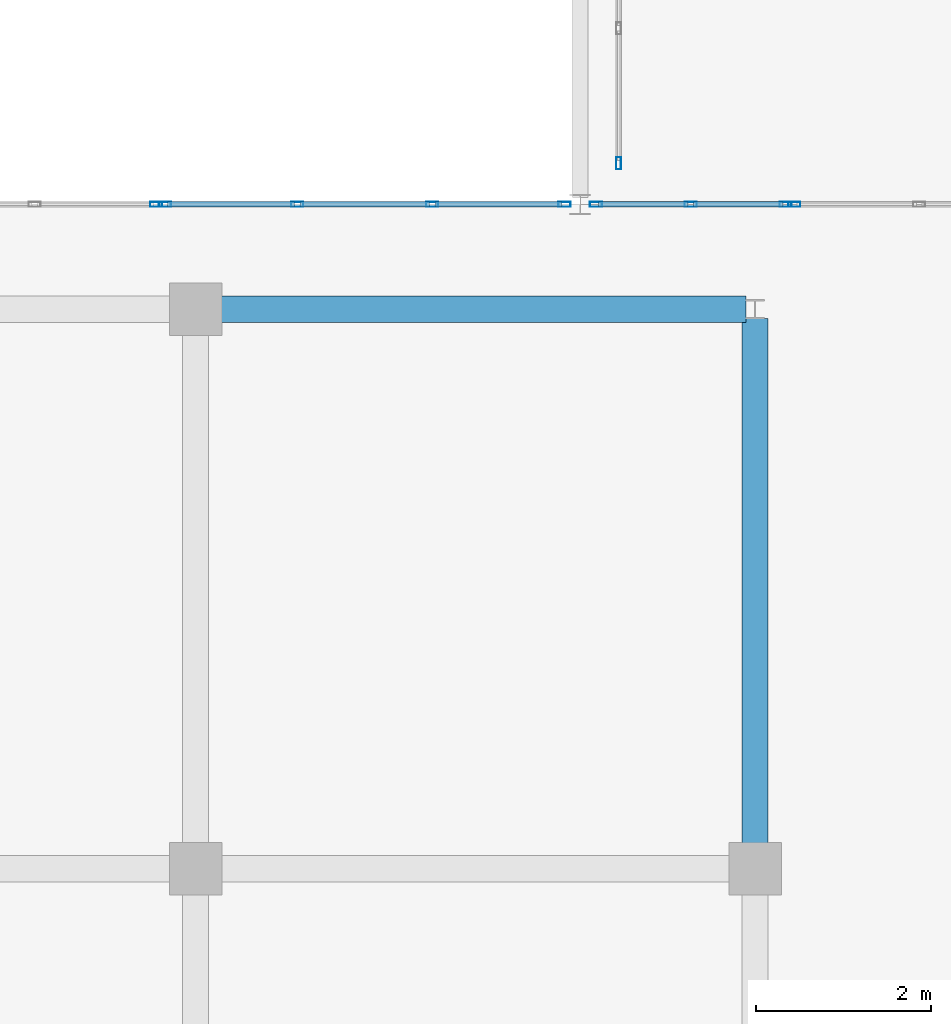
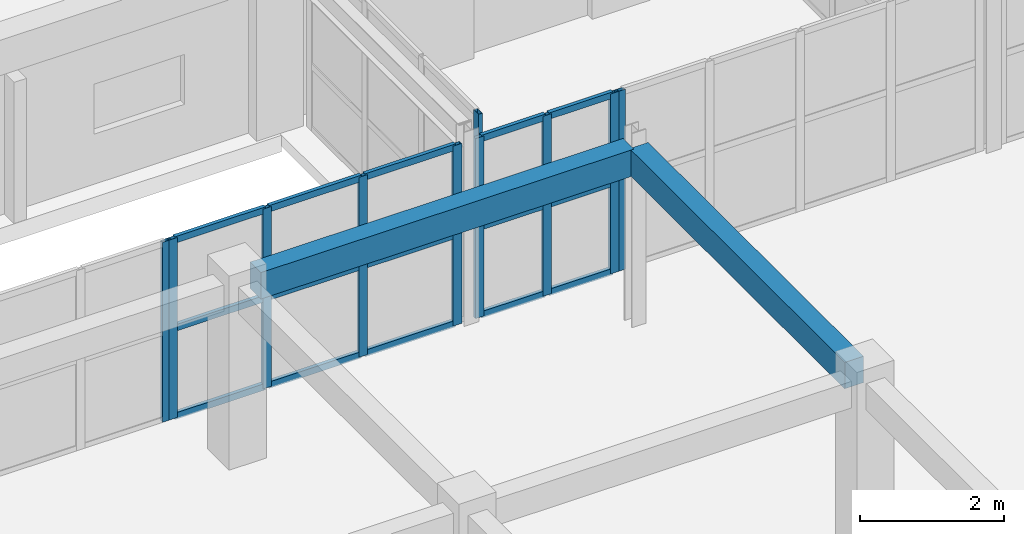
# One storey, part 86 of 200: 25 members, 2 beams, 5 elements without a shape of their own.
"""IFC4 building model written with IfcOpenShell, lengths in metres."""

from ifc_helpers import new_model, si_unit, direction, frame, origin, origin_2d, place, context, subcontext, project, spatial, rectangle, hollow_rectangle, extrude, material, layer, layer_set, material_profile, profile_set, type_object, element, aggregate, save


model = new_model("IFC4")

# Units and contexts
model_context = context("Model", 3, precision=1e-05, world=origin(), true_north=direction((0.0, 1.0)))
body_context = subcontext(model_context, "Body", "Model", "MODEL_VIEW")
ifc_project = project(units=[si_unit("LENGTHUNIT", "METRE"), si_unit("AREAUNIT", "SQUARE_METRE"), si_unit("VOLUMEUNIT", "CUBIC_METRE"), si_unit("PLANEANGLEUNIT", "RADIAN"), si_unit("MASSUNIT", "GRAM", prefix="KILO")], contexts=[model_context])

# Site, building, storey
site_placement = place(None, origin())
site = spatial("IfcSite", under=ifc_project, at=site_placement, CompositionType="ELEMENT")
building_placement = place(site_placement, origin())
building = spatial("IfcBuilding", under=site, at=building_placement, Name="Trelvath General Hospital", CompositionType="ELEMENT")
storey_placement = place(building_placement, frame((0.0, 0.0, 4.800048828125)))
storey = spatial("IfcBuildingStorey", under=building, at=storey_placement, Name="L01", CompositionType="ELEMENT", Elevation=4.800048828125)

# Beams
ifc_material_1 = material(Name="Concrete C35/45", Category="concrete")
ifc_material_profile_1 = material_profile(ifc_material_1, rectangle(XDim=0.300048828125, YDim=0.449951171875, at=origin_2d()), Name="RCB300x450")
ifc_profile_set_1 = profile_set([ifc_material_profile_1], Name="Concrete C35/45")
beam_type = type_object("IfcBeamType", Name="Beam RC300x450", PredefinedType="BEAM", material=ifc_profile_set_1)
beam_1_placement = place(storey_placement, frame((54.696044921875, 85.60009765625, 2.8349609375), z_axis=(1.0, 0.0, 0.0), x_axis=(0.0, 1.0, 0.0)))
element("IfcBeam", 1, at=beam_1_placement, inside=storey, type_object=beam_type, Name="Cube Interior Ring Beam CUBE-W-T0 L01", PredefinedType="BEAM", context=body_context, shape_type="SweptSolid", body=[
    extrude(rectangle(XDim=0.300048828125, YDim=0.449951171875, at=origin_2d()), origin(), (0.0, 0.0, 1.0), 5.998046875),
])
beam_2_placement = place(storey_placement, frame((60.800048828125, 79.49609375, 2.8349609375), z_axis=(0.0, 1.0, 0.0), x_axis=(-1.0, 0.0, 0.0)))
element("IfcBeam", 2, at=beam_2_placement, inside=storey, type_object=beam_type, Name="Cube Interior Ring Beam CUBE-W-T0 L01", PredefinedType="BEAM", context=body_context, shape_type="SweptSolid", body=[
    extrude(rectangle(XDim=0.300048828125, YDim=0.449951171875, at=origin_2d()), origin(), (0.0, 0.0, 1.0), 5.997802734375),
])

# Curtain wall, member
ifc_material_2 = material(Name="Anodised aluminium and low-E glass", Category="aluminium")
ifc_layer_1 = layer(ifc_material_2, 0.14990234375)
ifc_layer_set_1 = layer_set([ifc_layer_1], Name="Anodised aluminium and low-E glass")
curtain_wall_type_1 = type_object("IfcCurtainWallType", Name="CW CrystalCube 710 306 15", PredefinedType="USERDEFINED", material=ifc_layer_set_1)
curtain_wall_1_placement = place(storey_placement, origin())
curtain_wall_1 = element("IfcCurtainWall", 3, at=curtain_wall_1_placement, inside=storey, type_object=curtain_wall_type_1, Name="Crystal Cube Curtain Wall CUBE-W-T0 N1 L01", ObjectType="Unitised Glazed Curtain Wall", PredefinedType="USERDEFINED")
ifc_material_3 = material(Name="Anodised aluminium", Category="aluminium")
ifc_material_profile_2 = material_profile(ifc_material_3, hollow_rectangle(XDim=0.06005859375, YDim=0.139892578125, WallThickness=0.00390625, at=origin_2d()), Name="RHS60x140x4")
ifc_profile_set_2 = profile_set([ifc_material_profile_2], Name="Anodised aluminium")
member_type_1 = type_object("IfcMemberType", Name="CurtainMullion 60x140", PredefinedType="MULLION", material=ifc_profile_set_2)
member_1_placement = place(storey_placement, frame((53.949951171875, 86.800048828125, 0.0), z_axis=(0.0, 0.0, 1.0), x_axis=(0.0, 1.0, 0.0)))
member_1 = element("IfcMember", 4, at=member_1_placement, type_object=member_type_1, Name="CW-133 mullion 6", PredefinedType="MULLION", context=body_context, shape_type="SweptSolid", body=[
    extrude(hollow_rectangle(XDim=0.06005859375, YDim=0.139892578125, WallThickness=0.00390625, at=origin_2d()), origin(), (0.0, 0.0, 1.0), 3.06005859375),
])
aggregate(curtain_wall_1, [member_1])

# Curtain wall, members
ifc_material_4 = material(Name="Anodised aluminium and low-E glass", Category="aluminium")
ifc_layer_2 = layer(ifc_material_4, 0.14990234375)
ifc_layer_set_2 = layer_set([ifc_layer_2], Name="Anodised aluminium and low-E glass")
curtain_wall_type_2 = type_object("IfcCurtainWallType", Name="CW CrystalCube 463 306 15", PredefinedType="USERDEFINED", material=ifc_layer_set_2)
curtain_wall_2_placement = place(storey_placement, origin())
curtain_wall_2 = element("IfcCurtainWall", 5, at=curtain_wall_2_placement, inside=storey, type_object=curtain_wall_type_2, Name="Crystal Cube Curtain Wall CUBE-W-T0 N2 L01", ObjectType="Unitised Glazed Curtain Wall", PredefinedType="USERDEFINED")
member_2_placement = place(storey_placement, frame((54.050048828125, 86.800048828125, 0.0), z_axis=(0.0, 0.0, 1.0), x_axis=(0.0, 1.0, 0.0)))
member_2 = element("IfcMember", 6, at=member_2_placement, type_object=member_type_1, Name="CW-134 mullion 1", PredefinedType="MULLION", context=body_context, shape_type="SweptSolid", body=[
    extrude(hollow_rectangle(XDim=0.06005859375, YDim=0.139892578125, WallThickness=0.00390625, at=origin_2d()), origin(), (0.0, 0.0, 1.0), 3.06005859375),
])
member_3_placement = place(storey_placement, frame((55.563232421875, 86.800048828125, 0.0), z_axis=(0.0, 0.0, 1.0), x_axis=(0.0, 1.0, 0.0)))
member_3 = element("IfcMember", 7, at=member_3_placement, type_object=member_type_1, Name="CW-134 mullion 2", PredefinedType="MULLION", context=body_context, shape_type="SweptSolid", body=[
    extrude(hollow_rectangle(XDim=0.06005859375, YDim=0.139892578125, WallThickness=0.00390625, at=origin_2d()), origin(), (0.0, 0.0, 1.0), 3.06005859375),
])
member_4_placement = place(storey_placement, frame((57.106689453125, 86.800048828125, 0.0), z_axis=(0.0, 0.0, 1.0), x_axis=(0.0, 1.0, 0.0)))
member_4 = element("IfcMember", 8, at=member_4_placement, type_object=member_type_1, Name="CW-134 mullion 3", PredefinedType="MULLION", context=body_context, shape_type="SweptSolid", body=[
    extrude(hollow_rectangle(XDim=0.06005859375, YDim=0.139892578125, WallThickness=0.00390625, at=origin_2d()), origin(), (0.0, 0.0, 1.0), 3.06005859375),
])
member_5_placement = place(storey_placement, frame((58.6201171875, 86.800048828125, 0.0), z_axis=(0.0, 0.0, 1.0), x_axis=(0.0, 1.0, 0.0)))
member_5 = element("IfcMember", 9, at=member_5_placement, type_object=member_type_1, Name="CW-134 mullion 4", PredefinedType="MULLION", context=body_context, shape_type="SweptSolid", body=[
    extrude(hollow_rectangle(XDim=0.06005859375, YDim=0.139892578125, WallThickness=0.00390625, at=origin_2d()), origin(), (0.0, 0.0, 1.0), 3.06005859375),
])

ifc_material_5 = material(Name="Anodised aluminium and low-E glass", Category="aluminium")
ifc_layer_3 = layer(ifc_material_5, 0.14990234375)
ifc_layer_set_3 = layer_set([ifc_layer_3], Name="Anodised aluminium and low-E glass")
curtain_wall_type_3 = type_object("IfcCurtainWallType", Name="CW CrystalCube 223 306 15", PredefinedType="USERDEFINED", material=ifc_layer_set_3)
curtain_wall_3_placement = place(storey_placement, origin())
curtain_wall_3 = element("IfcCurtainWall", 10, at=curtain_wall_3_placement, inside=storey, type_object=curtain_wall_type_3, Name="Crystal Cube Curtain Wall CUBE-W-T0 N3 L01", ObjectType="Unitised Glazed Curtain Wall", PredefinedType="USERDEFINED")
member_6_placement = place(storey_placement, frame((58.97998046875, 86.800048828125, 0.0), z_axis=(0.0, 0.0, 1.0), x_axis=(0.0, 1.0, 0.0)))
member_6 = element("IfcMember", 11, at=member_6_placement, type_object=member_type_1, Name="CW-135 mullion 1", PredefinedType="MULLION", context=body_context, shape_type="SweptSolid", body=[
    extrude(hollow_rectangle(XDim=0.06005859375, YDim=0.139892578125, WallThickness=0.00390625, at=origin_2d()), origin(), (0.0, 0.0, 1.0), 3.06005859375),
])
member_7_placement = place(storey_placement, frame((60.06494140625, 86.800048828125, 0.0), z_axis=(0.0, 0.0, 1.0), x_axis=(0.0, 1.0, 0.0)))
member_7 = element("IfcMember", 12, at=member_7_placement, type_object=member_type_1, Name="CW-135 mullion 2", PredefinedType="MULLION", context=body_context, shape_type="SweptSolid", body=[
    extrude(hollow_rectangle(XDim=0.06005859375, YDim=0.139892578125, WallThickness=0.00390625, at=origin_2d()), origin(), (0.0, 0.0, 1.0), 3.06005859375),
])
member_8_placement = place(storey_placement, frame((61.14990234375, 86.800048828125, 0.0), z_axis=(0.0, 0.0, 1.0), x_axis=(0.0, 1.0, 0.0)))
member_8 = element("IfcMember", 13, at=member_8_placement, type_object=member_type_1, Name="CW-135 mullion 3", PredefinedType="MULLION", context=body_context, shape_type="SweptSolid", body=[
    extrude(hollow_rectangle(XDim=0.06005859375, YDim=0.139892578125, WallThickness=0.00390625, at=origin_2d()), origin(), (0.0, 0.0, 1.0), 3.06005859375),
])

# Curtain wall, member
ifc_material_6 = material(Name="Anodised aluminium and low-E glass", Category="aluminium")
ifc_layer_4 = layer(ifc_material_6, 0.14990234375)
ifc_layer_set_4 = layer_set([ifc_layer_4], Name="Anodised aluminium and low-E glass")
curtain_wall_type_4 = type_object("IfcCurtainWallType", Name="CW CrystalCube 583 306 15", PredefinedType="USERDEFINED", material=ifc_layer_set_4)
curtain_wall_4_placement = place(storey_placement, origin())
curtain_wall_4 = element("IfcCurtainWall", 14, at=curtain_wall_4_placement, inside=storey, type_object=curtain_wall_type_4, Name="Crystal Cube Curtain Wall CUBE-W-T0 N4 L01", ObjectType="Unitised Glazed Curtain Wall", PredefinedType="USERDEFINED")
member_9_placement = place(storey_placement, frame((61.25, 86.800048828125, 0.0), z_axis=(0.0, 0.0, 1.0), x_axis=(0.0, 1.0, 0.0)))
member_9 = element("IfcMember", 15, at=member_9_placement, type_object=member_type_1, Name="CW-136 mullion 1", PredefinedType="MULLION", context=body_context, shape_type="SweptSolid", body=[
    extrude(hollow_rectangle(XDim=0.06005859375, YDim=0.139892578125, WallThickness=0.00390625, at=origin_2d()), origin(), (0.0, 0.0, 1.0), 3.06005859375),
])
aggregate(curtain_wall_4, [member_9])

ifc_material_7 = material(Name="Anodised aluminium and low-E glass", Category="aluminium")
ifc_layer_5 = layer(ifc_material_7, 0.139892578125)
ifc_layer_set_5 = layer_set([ifc_layer_5], Name="Anodised aluminium and low-E glass")
curtain_wall_type_5 = type_object("IfcCurtainWallType", Name="CW Bridge 472 311", PredefinedType="USERDEFINED", material=ifc_layer_set_5)
curtain_wall_5_placement = place(storey_placement, origin())
curtain_wall_5 = element("IfcCurtainWall", 16, at=curtain_wall_5_placement, inside=storey, type_object=curtain_wall_type_5, Name="Glazed Bridge Curtain Wall BRG-N-W W L01", ObjectType="Unitised Glazed Curtain Wall", PredefinedType="USERDEFINED")
member_10_placement = place(storey_placement, frame((59.239990234375, 87.27001953125, 0.0), z_axis=(0.0, 0.0, 1.0), x_axis=(-1.0, 0.0, 0.0)))
member_10 = element("IfcMember", 17, at=member_10_placement, type_object=member_type_1, Name="CW-182 mullion 1", PredefinedType="MULLION", context=body_context, shape_type="SweptSolid", body=[
    extrude(hollow_rectangle(XDim=0.06005859375, YDim=0.139892578125, WallThickness=0.00390625, at=origin_2d()), origin(), (0.0, 0.0, 1.0), 3.10986328125),
])
aggregate(curtain_wall_5, [member_10])

# Member
ifc_material_8 = material(Name="Anodised aluminium", Category="aluminium")
ifc_material_profile_3 = material_profile(ifc_material_8, hollow_rectangle(XDim=0.06005859375, YDim=0.110107421875, WallThickness=0.00390625, at=origin_2d()), Name="RHS60x110x4")
ifc_profile_set_3 = profile_set([ifc_material_profile_3], Name="Anodised aluminium")
member_type_2 = type_object("IfcMemberType", Name="CurtainTransom 60x110", PredefinedType="USERDEFINED", material=ifc_profile_set_3)
member_11_placement = place(storey_placement, frame((54.080078125, 86.800048828125, 0.030029296875), z_axis=(1.0, 0.0, 0.0), x_axis=(0.0, 1.0, 0.0)))
member_11 = element("IfcMember", 18, at=member_11_placement, type_object=member_type_2, Name="CW-134 transom 1.1", ObjectType="TRANSOM", PredefinedType="USERDEFINED", context=body_context, shape_type="SweptSolid", body=[
    extrude(hollow_rectangle(XDim=0.06005859375, YDim=0.110107421875, WallThickness=0.00390625, at=origin_2d()), origin(), (0.0, 0.0, 1.0), 1.453369140625),
])

member_12_placement = place(storey_placement, frame((54.080078125, 86.800048828125, 1.530029296875), z_axis=(1.0, 0.0, 0.0), x_axis=(0.0, 1.0, 0.0)))
member_12 = element("IfcMember", 19, at=member_12_placement, type_object=member_type_2, Name="CW-134 transom 1.2", ObjectType="TRANSOM", PredefinedType="USERDEFINED", context=body_context, shape_type="SweptSolid", body=[
    extrude(hollow_rectangle(XDim=0.06005859375, YDim=0.110107421875, WallThickness=0.00390625, at=origin_2d()), origin(), (0.0, 0.0, 1.0), 1.453369140625),
])

member_13_placement = place(storey_placement, frame((54.080078125, 86.800048828125, 3.030029296875), z_axis=(1.0, 0.0, 0.0), x_axis=(0.0, 1.0, 0.0)))
member_13 = element("IfcMember", 20, at=member_13_placement, type_object=member_type_2, Name="CW-134 transom 1.3", ObjectType="TRANSOM", PredefinedType="USERDEFINED", context=body_context, shape_type="SweptSolid", body=[
    extrude(hollow_rectangle(XDim=0.06005859375, YDim=0.110107421875, WallThickness=0.00390625, at=origin_2d()), origin(), (0.0, 0.0, 1.0), 1.453369140625),
])

member_14_placement = place(storey_placement, frame((55.59326171875, 86.800048828125, 0.030029296875), z_axis=(1.0, 0.0, 0.0), x_axis=(0.0, 1.0, 0.0)))
member_14 = element("IfcMember", 21, at=member_14_placement, type_object=member_type_2, Name="CW-134 transom 2.1", ObjectType="TRANSOM", PredefinedType="USERDEFINED", context=body_context, shape_type="SweptSolid", body=[
    extrude(hollow_rectangle(XDim=0.06005859375, YDim=0.110107421875, WallThickness=0.00390625, at=origin_2d()), origin(), (0.0, 0.0, 1.0), 1.4833984375),
])

member_15_placement = place(storey_placement, frame((55.59326171875, 86.800048828125, 1.530029296875), z_axis=(1.0, 0.0, 0.0), x_axis=(0.0, 1.0, 0.0)))
member_15 = element("IfcMember", 22, at=member_15_placement, type_object=member_type_2, Name="CW-134 transom 2.2", ObjectType="TRANSOM", PredefinedType="USERDEFINED", context=body_context, shape_type="SweptSolid", body=[
    extrude(hollow_rectangle(XDim=0.06005859375, YDim=0.110107421875, WallThickness=0.00390625, at=origin_2d()), origin(), (0.0, 0.0, 1.0), 1.4833984375),
])

member_16_placement = place(storey_placement, frame((55.59326171875, 86.800048828125, 3.030029296875), z_axis=(1.0, 0.0, 0.0), x_axis=(0.0, 1.0, 0.0)))
member_16 = element("IfcMember", 23, at=member_16_placement, type_object=member_type_2, Name="CW-134 transom 2.3", ObjectType="TRANSOM", PredefinedType="USERDEFINED", context=body_context, shape_type="SweptSolid", body=[
    extrude(hollow_rectangle(XDim=0.06005859375, YDim=0.110107421875, WallThickness=0.00390625, at=origin_2d()), origin(), (0.0, 0.0, 1.0), 1.4833984375),
])

member_17_placement = place(storey_placement, frame((57.13671875, 86.800048828125, 0.030029296875), z_axis=(1.0, 0.0, 0.0), x_axis=(0.0, 1.0, 0.0)))
member_17 = element("IfcMember", 24, at=member_17_placement, type_object=member_type_2, Name="CW-134 transom 3.1", ObjectType="TRANSOM", PredefinedType="USERDEFINED", context=body_context, shape_type="SweptSolid", body=[
    extrude(hollow_rectangle(XDim=0.06005859375, YDim=0.110107421875, WallThickness=0.00390625, at=origin_2d()), origin(), (0.0, 0.0, 1.0), 1.453369140625),
])

member_18_placement = place(storey_placement, frame((57.13671875, 86.800048828125, 1.530029296875), z_axis=(1.0, 0.0, 0.0), x_axis=(0.0, 1.0, 0.0)))
member_18 = element("IfcMember", 25, at=member_18_placement, type_object=member_type_2, Name="CW-134 transom 3.2", ObjectType="TRANSOM", PredefinedType="USERDEFINED", context=body_context, shape_type="SweptSolid", body=[
    extrude(hollow_rectangle(XDim=0.06005859375, YDim=0.110107421875, WallThickness=0.00390625, at=origin_2d()), origin(), (0.0, 0.0, 1.0), 1.453369140625),
])

member_19_placement = place(storey_placement, frame((57.13671875, 86.800048828125, 3.030029296875), z_axis=(1.0, 0.0, 0.0), x_axis=(0.0, 1.0, 0.0)))
member_19 = element("IfcMember", 26, at=member_19_placement, type_object=member_type_2, Name="CW-134 transom 3.3", ObjectType="TRANSOM", PredefinedType="USERDEFINED", context=body_context, shape_type="SweptSolid", body=[
    extrude(hollow_rectangle(XDim=0.06005859375, YDim=0.110107421875, WallThickness=0.00390625, at=origin_2d()), origin(), (0.0, 0.0, 1.0), 1.453369140625),
])

aggregate(curtain_wall_2, [member_2, member_3, member_4, member_5, member_11, member_12, member_13, member_14, member_15, member_16, member_17, member_18, member_19])

member_20_placement = place(storey_placement, frame((59.010009765625, 86.800048828125, 0.030029296875), z_axis=(1.0, 0.0, 0.0), x_axis=(0.0, 1.0, 0.0)))
member_20 = element("IfcMember", 27, at=member_20_placement, type_object=member_type_2, Name="CW-135 transom 1.1", ObjectType="TRANSOM", PredefinedType="USERDEFINED", context=body_context, shape_type="SweptSolid", body=[
    extrude(hollow_rectangle(XDim=0.06005859375, YDim=0.110107421875, WallThickness=0.00390625, at=origin_2d()), origin(), (0.0, 0.0, 1.0), 1.02490234375),
])

member_21_placement = place(storey_placement, frame((59.010009765625, 86.800048828125, 1.530029296875), z_axis=(1.0, 0.0, 0.0), x_axis=(0.0, 1.0, 0.0)))
member_21 = element("IfcMember", 28, at=member_21_placement, type_object=member_type_2, Name="CW-135 transom 1.2", ObjectType="TRANSOM", PredefinedType="USERDEFINED", context=body_context, shape_type="SweptSolid", body=[
    extrude(hollow_rectangle(XDim=0.06005859375, YDim=0.110107421875, WallThickness=0.00390625, at=origin_2d()), origin(), (0.0, 0.0, 1.0), 1.02490234375),
])

member_22_placement = place(storey_placement, frame((59.010009765625, 86.800048828125, 3.030029296875), z_axis=(1.0, 0.0, 0.0), x_axis=(0.0, 1.0, 0.0)))
member_22 = element("IfcMember", 29, at=member_22_placement, type_object=member_type_2, Name="CW-135 transom 1.3", ObjectType="TRANSOM", PredefinedType="USERDEFINED", context=body_context, shape_type="SweptSolid", body=[
    extrude(hollow_rectangle(XDim=0.06005859375, YDim=0.110107421875, WallThickness=0.00390625, at=origin_2d()), origin(), (0.0, 0.0, 1.0), 1.02490234375),
])

member_23_placement = place(storey_placement, frame((60.094970703125, 86.800048828125, 0.030029296875), z_axis=(1.0, 0.0, 0.0), x_axis=(0.0, 1.0, 0.0)))
member_23 = element("IfcMember", 30, at=member_23_placement, type_object=member_type_2, Name="CW-135 transom 2.1", ObjectType="TRANSOM", PredefinedType="USERDEFINED", context=body_context, shape_type="SweptSolid", body=[
    extrude(hollow_rectangle(XDim=0.06005859375, YDim=0.110107421875, WallThickness=0.00390625, at=origin_2d()), origin(), (0.0, 0.0, 1.0), 1.025146484375),
])

member_24_placement = place(storey_placement, frame((60.094970703125, 86.800048828125, 1.530029296875), z_axis=(1.0, 0.0, 0.0), x_axis=(0.0, 1.0, 0.0)))
member_24 = element("IfcMember", 31, at=member_24_placement, type_object=member_type_2, Name="CW-135 transom 2.2", ObjectType="TRANSOM", PredefinedType="USERDEFINED", context=body_context, shape_type="SweptSolid", body=[
    extrude(hollow_rectangle(XDim=0.06005859375, YDim=0.110107421875, WallThickness=0.00390625, at=origin_2d()), origin(), (0.0, 0.0, 1.0), 1.025146484375),
])

member_25_placement = place(storey_placement, frame((60.094970703125, 86.800048828125, 3.030029296875), z_axis=(1.0, 0.0, 0.0), x_axis=(0.0, 1.0, 0.0)))
member_25 = element("IfcMember", 32, at=member_25_placement, type_object=member_type_2, Name="CW-135 transom 2.3", ObjectType="TRANSOM", PredefinedType="USERDEFINED", context=body_context, shape_type="SweptSolid", body=[
    extrude(hollow_rectangle(XDim=0.06005859375, YDim=0.110107421875, WallThickness=0.00390625, at=origin_2d()), origin(), (0.0, 0.0, 1.0), 1.025146484375),
])

aggregate(curtain_wall_3, [member_6, member_7, member_8, member_20, member_21, member_22, member_23, member_24, member_25])

save(model, "model.ifc")
